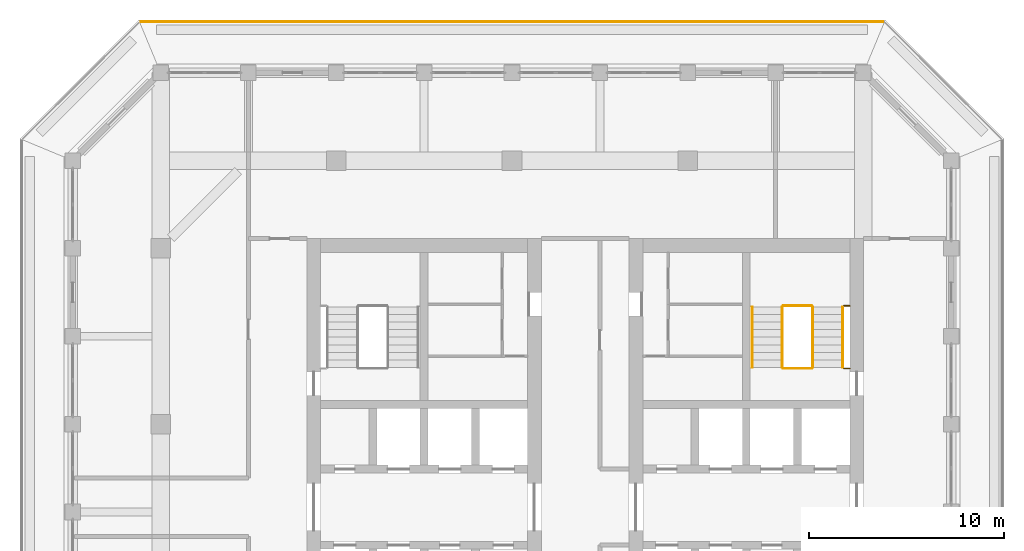
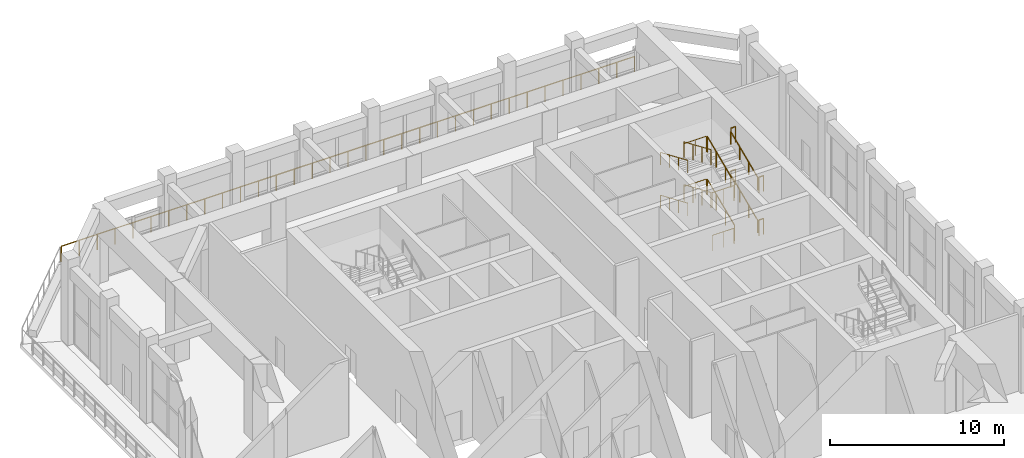
# One storey, part 18 of 20: 17 railings.
"""IFC4 building model written with IfcOpenShell, lengths in metres."""

import ifcopenshell
import ifcopenshell.guid

model = None  # the IFC model being written
_history = None  # IfcOwnerHistory: only IFC2X3 demands one
_inside = {}  # id of a spatial element -> (the spatial element, [elements in it])
_under = {}  # id of a project, library or spatial element -> (it, [spatial elements below it])
_declared = {}  # id of a project -> (the project, [libraries it declares])
_typed = {}  # id of a type object -> (the type object, [elements of that type])
_made_of = {}  # id of a material, layer set ... -> (it, [elements and type objects made of it])


def new_model(schema):
    """Start an empty IFC model of exactly this schema.

    Asked for "IFC4X3", IfcOpenShell would pick the latest addendum, in which some entities
    have other attributes; the version numbers below select the first issue.
    IFC2X3 requires an IfcOwnerHistory on every rooted entity: one is made here for all.
    """
    global model, _history
    if schema == "IFC4X3":
        model = ifcopenshell.file(schema_version=(4, 3, 0, 0))
    else:
        model = ifcopenshell.file(schema=schema)
    _inside.clear()
    _under.clear()
    _declared.clear()
    _typed.clear()
    _made_of.clear()
    _history = None
    if model.schema == "IFC2X3":
        org = make("IfcOrganization", Name="unknown")
        user = make(
            "IfcPersonAndOrganization",
            ThePerson=make("IfcPerson", FamilyName="unknown"),
            TheOrganization=org,
        )
        app = make(
            "IfcApplication",
            ApplicationDeveloper=org,
            Version="unknown",
            ApplicationFullName="unknown",
            ApplicationIdentifier="unknown",
        )
        _history = make(
            "IfcOwnerHistory",
            OwningUser=user,
            OwningApplication=app,
            ChangeAction="ADDED",
            CreationDate=0,
        )
    return model


def make(cls, **values):
    """One entity of the class cls with the attributes given. An attribute that is None is left unset."""
    return model.create_entity(
        cls, **{name: value for name, value in values.items() if value is not None}
    )


def rooted(cls, **values):
    """An entity with a GlobalId (a new one), such as an element, a storey or a relation."""
    return make(cls, GlobalId=ifcopenshell.guid.new(), OwnerHistory=_history, **values)


def si_unit(unit_type, name, prefix=None):
    """IfcSIUnit, for example si_unit("LENGTHUNIT", "METRE", prefix="MILLI")."""
    return make("IfcSIUnit", UnitType=unit_type, Prefix=prefix, Name=name)


def assignment(units):
    """IfcUnitAssignment: the units of a project."""
    return None if units is None else make("IfcUnitAssignment", Units=units)


def point(xyz):
    """IfcCartesianPoint."""
    return None if xyz is None else make("IfcCartesianPoint", Coordinates=xyz)


def direction(xyz):
    """IfcDirection."""
    return None if xyz is None else make("IfcDirection", DirectionRatios=xyz)


def frame(location, z_axis=None, x_axis=None):
    """IfcAxis2Placement3D, a coordinate frame: its origin and axes. An axis left out is left unset."""
    return make(
        "IfcAxis2Placement3D",
        Location=point(location),
        Axis=direction(z_axis),
        RefDirection=direction(x_axis),
    )


def frame_2d(location, x_axis=None):
    """IfcAxis2Placement2D, a coordinate frame in the plane: its origin and x axis."""
    return make(
        "IfcAxis2Placement2D", Location=point(location), RefDirection=direction(x_axis)
    )


def origin():
    """The frame at (0, 0, 0) with its axes left unset."""
    return frame((0.0, 0.0, 0.0))


def origin_2d():
    """The frame at (0, 0) in the plane with its x axis left unset."""
    return frame_2d((0.0, 0.0))


def place(relative_to, where):
    """IfcLocalPlacement: puts the frame where relative to a parent placement (None: the world)."""
    return make(
        "IfcLocalPlacement", PlacementRelTo=relative_to, RelativePlacement=where
    )


def context(
    kind, dimensions, precision=None, world=None, true_north=None, identifier=None
):
    """IfcGeometricRepresentationContext, for example the 3D "Model" context."""
    return make(
        "IfcGeometricRepresentationContext",
        ContextIdentifier=identifier,
        ContextType=kind,
        CoordinateSpaceDimension=dimensions,
        Precision=precision,
        WorldCoordinateSystem=world,
        TrueNorth=true_north,
    )


def subcontext(parent, identifier, kind, view, scale=None):
    """IfcGeometricRepresentationSubContext, for example "Body" below "Model"."""
    return make(
        "IfcGeometricRepresentationSubContext",
        ContextIdentifier=identifier,
        ContextType=kind,
        ParentContext=parent,
        TargetScale=scale,
        TargetView=view,
    )


def project(units=None, contexts=None):
    """IfcProject with its units and contexts."""
    return rooted(
        "IfcProject",
        Name="project",
        RepresentationContexts=contexts,
        UnitsInContext=assignment(units),
    )


def spatial(cls, under=None, at=None, **own):
    """A site, building, storey or space (cls), placed at a placement, below another one or the project."""
    s = rooted(cls, ObjectPlacement=at, **own)
    if under is not None:
        _under.setdefault(under.id(), (under, []))[1].append(s)
    return s


def profile(cls, at=None, kind="AREA", **sizes):
    """A parametric profile (cls). Its sizes go by their IFC names, for example OverallWidth=200.0."""
    return make(cls, ProfileType=kind, Position=at, **sizes)


def circle(**sizes):
    """IfcCircleProfileDef."""
    return profile("IfcCircleProfileDef", **sizes)


def extrude(swept, where, along, depth):
    """IfcExtrudedAreaSolid: the profile swept, set in the frame where, extruded along a direction by depth."""
    return make(
        "IfcExtrudedAreaSolid",
        SweptArea=swept,
        Position=where,
        ExtrudedDirection=direction(along),
        Depth=depth,
    )


def shape(context_of_items, identifier, shape_type, items):
    """IfcShapeRepresentation: the items that make up one representation, for example the "Body"."""
    return make(
        "IfcShapeRepresentation",
        ContextOfItems=context_of_items,
        RepresentationIdentifier=identifier,
        RepresentationType=shape_type,
        Items=items,
    )


def material(Name=None, Category=None):
    """IfcMaterial."""
    return make("IfcMaterial", Name=Name, Category=Category)


def made_of(thing, what):
    """Note that an element or type object is made of a material, layer set ...; save() writes the relation."""
    if what is not None:
        _made_of.setdefault(what.id(), (what, []))[1].append(thing)
    return thing


def type_object(cls, material=None, **own):
    """A type object (cls), such as IfcWallType, which elements share."""
    return made_of(rooted(cls, **own), material)


def element(
    cls,
    number,
    at=None,
    inside=None,
    cuts=None,
    type_object=None,
    material=None,
    context=None,
    identifier="Body",
    shape_type=None,
    held_by="IfcProductDefinitionShape",
    body=None,
    shapes=None,
    **own,
):
    """One element of the class cls, such as IfcWall. Its Tag is "e" and its number.

    at: its placement. inside: the storey or other place that contains it. cuts: it is an
    opening in that element (IfcRelVoidsElement). A single representation is given by context,
    identifier, shape_type and body (its items); several are given by shapes. held_by: the class
    of the entity that holds the representations. save() writes the other relations.
    """
    e = rooted(cls, Tag="e%d" % number, ObjectPlacement=at, **own)
    if body is not None:
        shapes = [shape(context, identifier, shape_type, body)]
    if shapes is not None:
        e.Representation = make(held_by, Representations=shapes)
    if inside is not None:
        _inside.setdefault(inside.id(), (inside, []))[1].append(e)
    if cuts is not None:
        rooted(
            "IfcRelVoidsElement", RelatingBuildingElement=cuts, RelatedOpeningElement=e
        )
    if type_object is not None:
        _typed.setdefault(type_object.id(), (type_object, []))[1].append(e)
    return made_of(e, material)


def aggregate(whole, parts):
    """IfcRelAggregates: a whole, such as a stair, and the parts it consists of."""
    return rooted("IfcRelAggregates", RelatingObject=whole, RelatedObjects=parts)


def save(model, path):
    """Write the relations noted so far, then the file.

    IfcRelAggregates (storeys below a building ...), IfcRelContainedInSpatialStructure (elements
    in a storey), IfcRelDefinesByType, IfcRelAssociatesMaterial and IfcRelDeclares: one each for
    every whole, place, type object, material and project.
    """
    for whole, parts in _under.values():
        aggregate(whole, parts)
    for where, things in _inside.values():
        rooted(
            "IfcRelContainedInSpatialStructure",
            RelatedElements=things,
            RelatingStructure=where,
        )
    for kind, things in _typed.values():
        rooted("IfcRelDefinesByType", RelatedObjects=things, RelatingType=kind)
    for what, things in _made_of.values():
        rooted("IfcRelAssociatesMaterial", RelatedObjects=things, RelatingMaterial=what)
    for by, libraries in _declared.values():
        rooted("IfcRelDeclares", RelatingContext=by, RelatedDefinitions=libraries)
    model.write(path)


model = new_model("IFC4")

# Units and contexts
model_context = context("Model", 3, precision=1e-05, world=origin(), true_north=direction((0.0, 1.0)))
body_context = subcontext(model_context, "Body", "Model", "MODEL_VIEW")
ifc_project = project(units=[si_unit("LENGTHUNIT", "METRE"), si_unit("AREAUNIT", "SQUARE_METRE"), si_unit("VOLUMEUNIT", "CUBIC_METRE"), si_unit("PLANEANGLEUNIT", "RADIAN"), si_unit("MASSUNIT", "GRAM", prefix="KILO")], contexts=[model_context])

# Site, building, storey
site_placement = place(None, origin())
site = spatial("IfcSite", under=ifc_project, at=site_placement, CompositionType="ELEMENT")
building_placement = place(site_placement, origin())
building = spatial("IfcBuilding", under=site, at=building_placement, Name="Corbel Stack Research Tower", CompositionType="ELEMENT")
storey_placement = place(building_placement, frame((0.0, 0.0, 295.0)))
storey = spatial("IfcBuildingStorey", under=building, at=storey_placement, Name="L67", CompositionType="ELEMENT", Elevation=295.0)

# Railings
ifc_material_1 = material(Name="Steel S355", Category="steel")
railing_type_1 = type_object("IfcRailingType", Name="Stair guard 1100", PredefinedType="GUARDRAIL", material=ifc_material_1)
railing_1_placement = place(storey_placement, frame((15.39990234375, 11.89990234375, 0.166748046875)))
element("IfcRailing", 1, at=railing_1_placement, inside=storey, type_object=railing_type_1, Name="L67 ST-E2 stair guard 1", PredefinedType="GUARDRAIL", context=body_context, shape_type="SweptSolid", body=[
    extrude(circle(Radius=0.02392578125, at=origin_2d()), frame((0.0, 0.0, 1.076171875), z_axis=(0.0, 0.918826996994, 0.394660549834), x_axis=(-1.0, 0.0, 0.0)), (0.0, 0.0, 1.0), 3.378173828125),
    extrude(circle(Radius=0.02099609375, at=origin_2d()), origin(), (0.0, 0.0, 1.0), 1.052001953125),
    extrude(circle(Radius=0.02099609375, at=origin_2d()), frame((0.0, 1.03466796875, 0.4443359375)), (0.0, 0.0, 1.0), 1.052001953125),
    extrude(circle(Radius=0.02099609375, at=origin_2d()), frame((0.0, 2.0693359375, 0.888916015625)), (0.0, 0.0, 1.0), 1.052001953125),
    extrude(circle(Radius=0.02099609375, at=origin_2d()), frame((0.0, 3.10400390625, 1.333251953125)), (0.0, 0.0, 1.0), 1.052001953125),
])
railing_2_placement = place(storey_placement, frame((15.35009765625, 15.053955078125, 1.5)))
element("IfcRailing", 2, at=railing_2_placement, inside=storey, type_object=railing_type_1, Name="L67 ST-E2 stair guard 2", PredefinedType="GUARDRAIL", context=body_context, shape_type="SweptSolid", body=[
    extrude(circle(Radius=0.02392578125, at=origin_2d()), frame((0.0, 0.0, 1.076171875), z_axis=(-1.0, 0.0, 0.0), x_axis=(0.0, -1.0, 0.0)), (0.0, 0.0, 1.0), 1.4501953125),
    extrude(circle(Radius=0.02099609375, at=origin_2d()), origin(), (0.0, 0.0, 1.0), 1.052001953125),
    extrude(circle(Radius=0.02099609375, at=origin_2d()), frame((-0.72509765625, 0.0, 0.0)), (0.0, 0.0, 1.0), 1.052001953125),
    extrude(circle(Radius=0.02099609375, at=origin_2d()), frame((-1.4501953125, 0.0, 0.0)), (0.0, 0.0, 1.0), 1.052001953125),
])
railing_3_placement = place(storey_placement, frame((17.300048828125, 15.053955078125, 1.5)))
element("IfcRailing", 3, at=railing_3_placement, inside=storey, type_object=railing_type_1, Name="L67 ST-E2 stair guard 3", PredefinedType="GUARDRAIL", context=body_context, shape_type="SweptSolid", body=[
    extrude(circle(Radius=0.02392578125, at=origin_2d()), frame((0.0, 0.0, 1.076171875), z_axis=(-1.0, 0.0, 0.0), x_axis=(0.0, -1.0, 0.0)), (0.0, 0.0, 1.0), 0.300048828125),
    extrude(circle(Radius=0.02099609375, at=origin_2d()), origin(), (0.0, 0.0, 1.0), 1.052001953125),
    extrude(circle(Radius=0.02099609375, at=origin_2d()), frame((-0.300048828125, 0.0, 0.0)), (0.0, 0.0, 1.0), 1.052001953125),
])
railing_4_placement = place(storey_placement, frame((13.85009765625, 15.00390625, 1.666748046875)))
element("IfcRailing", 4, at=railing_4_placement, inside=storey, type_object=railing_type_1, Name="L67 ST-E2 stair guard 4", PredefinedType="GUARDRAIL", context=body_context, shape_type="SweptSolid", body=[
    extrude(circle(Radius=0.02392578125, at=origin_2d()), frame((0.0, 0.0, 1.076171875), z_axis=(0.0, -0.918826996994, 0.394660549834), x_axis=(1.0, 0.0, 0.0)), (0.0, 0.0, 1.0), 3.378173828125),
    extrude(circle(Radius=0.02099609375, at=origin_2d()), origin(), (0.0, 0.0, 1.0), 1.052001953125),
    extrude(circle(Radius=0.02099609375, at=origin_2d()), frame((0.0, -1.03466796875, 0.4443359375)), (0.0, 0.0, 1.0), 1.052001953125),
    extrude(circle(Radius=0.02099609375, at=origin_2d()), frame((0.0, -2.0693359375, 0.888916015625)), (0.0, 0.0, 1.0), 1.052001953125),
    extrude(circle(Radius=0.02099609375, at=origin_2d()), frame((0.0, -3.10400390625, 1.333251953125)), (0.0, 0.0, 1.0), 1.052001953125),
])
railing_5_placement = place(storey_placement, frame((15.35009765625, 11.85009765625, 3.0)))
element("IfcRailing", 5, at=railing_5_placement, inside=storey, type_object=railing_type_1, Name="L67 ST-E2 stair guard 5", PredefinedType="GUARDRAIL", context=body_context, shape_type="SweptSolid", body=[
    extrude(circle(Radius=0.02392578125, at=origin_2d()), frame((0.0, 0.0, 1.076171875), z_axis=(-1.0, 0.0, 0.0), x_axis=(0.0, -1.0, 0.0)), (0.0, 0.0, 1.0), 1.4501953125),
    extrude(circle(Radius=0.02099609375, at=origin_2d()), origin(), (0.0, 0.0, 1.0), 1.052001953125),
    extrude(circle(Radius=0.02099609375, at=origin_2d()), frame((-0.72509765625, 0.0, 0.0)), (0.0, 0.0, 1.0), 1.052001953125),
    extrude(circle(Radius=0.02099609375, at=origin_2d()), frame((-1.4501953125, 0.0, 0.0)), (0.0, 0.0, 1.0), 1.052001953125),
])
railing_6_placement = place(storey_placement, frame((17.300048828125, 11.85009765625, 3.0)))
element("IfcRailing", 6, at=railing_6_placement, inside=storey, type_object=railing_type_1, Name="L67 ST-E2 stair guard 6", PredefinedType="GUARDRAIL", context=body_context, shape_type="SweptSolid", body=[
    extrude(circle(Radius=0.02392578125, at=origin_2d()), frame((0.0, 0.0, 1.076171875), z_axis=(-1.0, 0.0, 0.0), x_axis=(0.0, -1.0, 0.0)), (0.0, 0.0, 1.0), 0.300048828125),
    extrude(circle(Radius=0.02099609375, at=origin_2d()), origin(), (0.0, 0.0, 1.0), 1.052001953125),
    extrude(circle(Radius=0.02099609375, at=origin_2d()), frame((-0.300048828125, 0.0, 0.0)), (0.0, 0.0, 1.0), 1.052001953125),
])
railing_7_placement = place(storey_placement, frame((15.39990234375, 11.89990234375, 3.166748046875)))
element("IfcRailing", 7, at=railing_7_placement, inside=storey, type_object=railing_type_1, Name="L67 ST-E2 stair guard 7", PredefinedType="GUARDRAIL", context=body_context, shape_type="SweptSolid", body=[
    extrude(circle(Radius=0.02392578125, at=origin_2d()), frame((0.0, 0.0, 1.076171875), z_axis=(0.0, 0.918826996994, 0.394660549834), x_axis=(-1.0, 0.0, 0.0)), (0.0, 0.0, 1.0), 3.378173828125),
    extrude(circle(Radius=0.02099609375, at=origin_2d()), origin(), (0.0, 0.0, 1.0), 1.052001953125),
    extrude(circle(Radius=0.02099609375, at=origin_2d()), frame((0.0, 1.03466796875, 0.4443359375)), (0.0, 0.0, 1.0), 1.052001953125),
    extrude(circle(Radius=0.02099609375, at=origin_2d()), frame((0.0, 2.0693359375, 0.888916015625)), (0.0, 0.0, 1.0), 1.052001953125),
    extrude(circle(Radius=0.02099609375, at=origin_2d()), frame((0.0, 3.10400390625, 1.333251953125)), (0.0, 0.0, 1.0), 1.052001953125),
])
railing_8_placement = place(storey_placement, frame((15.35009765625, 15.053955078125, 4.5)))
element("IfcRailing", 8, at=railing_8_placement, inside=storey, type_object=railing_type_1, Name="L67 ST-E2 stair guard 8", PredefinedType="GUARDRAIL", context=body_context, shape_type="SweptSolid", body=[
    extrude(circle(Radius=0.02392578125, at=origin_2d()), frame((0.0, 0.0, 1.076171875), z_axis=(-1.0, 0.0, 0.0), x_axis=(0.0, -1.0, 0.0)), (0.0, 0.0, 1.0), 1.4501953125),
    extrude(circle(Radius=0.02099609375, at=origin_2d()), origin(), (0.0, 0.0, 1.0), 1.052001953125),
    extrude(circle(Radius=0.02099609375, at=origin_2d()), frame((-0.72509765625, 0.0, 0.0)), (0.0, 0.0, 1.0), 1.052001953125),
    extrude(circle(Radius=0.02099609375, at=origin_2d()), frame((-1.4501953125, 0.0, 0.0)), (0.0, 0.0, 1.0), 1.052001953125),
])
railing_9_placement = place(storey_placement, frame((17.300048828125, 15.053955078125, 4.5)))
element("IfcRailing", 9, at=railing_9_placement, inside=storey, type_object=railing_type_1, Name="L67 ST-E2 stair guard 9", PredefinedType="GUARDRAIL", context=body_context, shape_type="SweptSolid", body=[
    extrude(circle(Radius=0.02392578125, at=origin_2d()), frame((0.0, 0.0, 1.076171875), z_axis=(-1.0, 0.0, 0.0), x_axis=(0.0, -1.0, 0.0)), (0.0, 0.0, 1.0), 0.300048828125),
    extrude(circle(Radius=0.02099609375, at=origin_2d()), origin(), (0.0, 0.0, 1.0), 1.052001953125),
    extrude(circle(Radius=0.02099609375, at=origin_2d()), frame((-0.300048828125, 0.0, 0.0)), (0.0, 0.0, 1.0), 1.052001953125),
])
railing_10_placement = place(storey_placement, frame((13.85009765625, 15.00390625, 4.666748046875)))
element("IfcRailing", 10, at=railing_10_placement, inside=storey, type_object=railing_type_1, Name="L67 ST-E2 stair guard 10", PredefinedType="GUARDRAIL", context=body_context, shape_type="SweptSolid", body=[
    extrude(circle(Radius=0.02392578125, at=origin_2d()), frame((0.0, 0.0, 1.076171875), z_axis=(0.0, -0.918826996994, 0.394660549834), x_axis=(1.0, 0.0, 0.0)), (0.0, 0.0, 1.0), 3.378173828125),
    extrude(circle(Radius=0.02099609375, at=origin_2d()), origin(), (0.0, 0.0, 1.0), 1.052001953125),
    extrude(circle(Radius=0.02099609375, at=origin_2d()), frame((0.0, -1.03466796875, 0.4443359375)), (0.0, 0.0, 1.0), 1.052001953125),
    extrude(circle(Radius=0.02099609375, at=origin_2d()), frame((0.0, -2.0693359375, 0.888916015625)), (0.0, 0.0, 1.0), 1.052001953125),
    extrude(circle(Radius=0.02099609375, at=origin_2d()), frame((0.0, -3.10400390625, 1.333251953125)), (0.0, 0.0, 1.0), 1.052001953125),
])
railing_11_placement = place(storey_placement, frame((15.35009765625, 11.85009765625, 0.0)))
element("IfcRailing", 11, at=railing_11_placement, inside=storey, type_object=railing_type_1, Name="L67 ST-E2 stair guard 11", PredefinedType="GUARDRAIL", context=body_context, shape_type="SweptSolid", body=[
    extrude(circle(Radius=0.02392578125, at=origin_2d()), frame((0.0, 0.0, 1.076171875), z_axis=(-1.0, 0.0, 0.0), x_axis=(0.0, -1.0, 0.0)), (0.0, 0.0, 1.0), 1.4501953125),
    extrude(circle(Radius=0.02099609375, at=origin_2d()), origin(), (0.0, 0.0, 1.0), 1.052001953125),
    extrude(circle(Radius=0.02099609375, at=origin_2d()), frame((-0.72509765625, 0.0, 0.0)), (0.0, 0.0, 1.0), 1.052001953125),
    extrude(circle(Radius=0.02099609375, at=origin_2d()), frame((-1.4501953125, 0.0, 0.0)), (0.0, 0.0, 1.0), 1.052001953125),
])
railing_12_placement = place(storey_placement, frame((17.300048828125, 11.85009765625, 0.0)))
element("IfcRailing", 12, at=railing_12_placement, inside=storey, type_object=railing_type_1, Name="L67 ST-E2 stair guard 12", PredefinedType="GUARDRAIL", context=body_context, shape_type="SweptSolid", body=[
    extrude(circle(Radius=0.02392578125, at=origin_2d()), frame((0.0, 0.0, 1.076171875), z_axis=(-1.0, 0.0, 0.0), x_axis=(0.0, -1.0, 0.0)), (0.0, 0.0, 1.0), 0.300048828125),
    extrude(circle(Radius=0.02099609375, at=origin_2d()), origin(), (0.0, 0.0, 1.0), 1.052001953125),
    extrude(circle(Radius=0.02099609375, at=origin_2d()), frame((-0.300048828125, 0.0, 0.0)), (0.0, 0.0, 1.0), 1.052001953125),
])
ifc_material_2 = material(Name="Steel S355", Category="steel")
railing_type_2 = type_object("IfcRailingType", Name="Stair handrail 900", PredefinedType="HANDRAIL", material=ifc_material_2)
railing_13_placement = place(storey_placement, frame((16.949951171875, 11.89990234375, 0.166748046875)))
element("IfcRailing", 13, at=railing_13_placement, inside=storey, type_object=railing_type_2, Name="L67 ST-E2 stair handrail 1", PredefinedType="HANDRAIL", context=body_context, shape_type="SweptSolid", body=[
    extrude(circle(Radius=0.02392578125, at=origin_2d()), frame((0.0, 0.0, 0.8759765625), z_axis=(0.0, 0.918826996994, 0.394660549834), x_axis=(-1.0, 0.0, 0.0)), (0.0, 0.0, 1.0), 3.378173828125),
    extrude(circle(Radius=0.02099609375, at=origin_2d()), origin(), (0.0, 0.0, 1.0), 0.851806640625),
    extrude(circle(Radius=0.02099609375, at=origin_2d()), frame((0.0, 1.03466796875, 0.4443359375)), (0.0, 0.0, 1.0), 0.851806640625),
    extrude(circle(Radius=0.02099609375, at=origin_2d()), frame((0.0, 2.0693359375, 0.888916015625)), (0.0, 0.0, 1.0), 0.851806640625),
    extrude(circle(Radius=0.02099609375, at=origin_2d()), frame((0.0, 3.10400390625, 1.333251953125)), (0.0, 0.0, 1.0), 0.851806640625),
])
railing_14_placement = place(storey_placement, frame((12.300048828125, 15.00390625, 1.666748046875)))
element("IfcRailing", 14, at=railing_14_placement, inside=storey, type_object=railing_type_2, Name="L67 ST-E2 stair handrail 2", PredefinedType="HANDRAIL", context=body_context, shape_type="SweptSolid", body=[
    extrude(circle(Radius=0.02392578125, at=origin_2d()), frame((0.0, 0.0, 0.8759765625), z_axis=(0.0, -0.918826996994, 0.394660549834), x_axis=(1.0, 0.0, 0.0)), (0.0, 0.0, 1.0), 3.378173828125),
    extrude(circle(Radius=0.02099609375, at=origin_2d()), origin(), (0.0, 0.0, 1.0), 0.851806640625),
    extrude(circle(Radius=0.02099609375, at=origin_2d()), frame((0.0, -1.03466796875, 0.4443359375)), (0.0, 0.0, 1.0), 0.851806640625),
    extrude(circle(Radius=0.02099609375, at=origin_2d()), frame((0.0, -2.0693359375, 0.888916015625)), (0.0, 0.0, 1.0), 0.851806640625),
    extrude(circle(Radius=0.02099609375, at=origin_2d()), frame((0.0, -3.10400390625, 1.333251953125)), (0.0, 0.0, 1.0), 0.851806640625),
])
railing_15_placement = place(storey_placement, frame((16.949951171875, 11.89990234375, 3.166748046875)))
element("IfcRailing", 15, at=railing_15_placement, inside=storey, type_object=railing_type_2, Name="L67 ST-E2 stair handrail 3", PredefinedType="HANDRAIL", context=body_context, shape_type="SweptSolid", body=[
    extrude(circle(Radius=0.02392578125, at=origin_2d()), frame((0.0, 0.0, 0.8759765625), z_axis=(0.0, 0.918826996994, 0.394660549834), x_axis=(-1.0, 0.0, 0.0)), (0.0, 0.0, 1.0), 3.378173828125),
    extrude(circle(Radius=0.02099609375, at=origin_2d()), origin(), (0.0, 0.0, 1.0), 0.851806640625),
    extrude(circle(Radius=0.02099609375, at=origin_2d()), frame((0.0, 1.03466796875, 0.4443359375)), (0.0, 0.0, 1.0), 0.851806640625),
    extrude(circle(Radius=0.02099609375, at=origin_2d()), frame((0.0, 2.0693359375, 0.888916015625)), (0.0, 0.0, 1.0), 0.851806640625),
    extrude(circle(Radius=0.02099609375, at=origin_2d()), frame((0.0, 3.10400390625, 1.333251953125)), (0.0, 0.0, 1.0), 0.851806640625),
])
railing_16_placement = place(storey_placement, frame((12.300048828125, 15.00390625, 4.666748046875)))
element("IfcRailing", 16, at=railing_16_placement, inside=storey, type_object=railing_type_2, Name="L67 ST-E2 stair handrail 4", PredefinedType="HANDRAIL", context=body_context, shape_type="SweptSolid", body=[
    extrude(circle(Radius=0.02392578125, at=origin_2d()), frame((0.0, 0.0, 0.8759765625), z_axis=(0.0, -0.918826996994, 0.394660549834), x_axis=(1.0, 0.0, 0.0)), (0.0, 0.0, 1.0), 3.378173828125),
    extrude(circle(Radius=0.02099609375, at=origin_2d()), origin(), (0.0, 0.0, 1.0), 0.851806640625),
    extrude(circle(Radius=0.02099609375, at=origin_2d()), frame((0.0, -1.03466796875, 0.4443359375)), (0.0, 0.0, 1.0), 0.851806640625),
    extrude(circle(Radius=0.02099609375, at=origin_2d()), frame((0.0, -2.0693359375, 0.888916015625)), (0.0, 0.0, 1.0), 0.851806640625),
    extrude(circle(Radius=0.02099609375, at=origin_2d()), frame((0.0, -3.10400390625, 1.333251953125)), (0.0, 0.0, 1.0), 0.851806640625),
])
ifc_material_3 = material(Name="Powder-coated steel guard", Category="steel")
railing_type_3 = type_object("IfcRailingType", Name="Steel and glass guard 1100", PredefinedType="GUARDRAIL", material=ifc_material_3)
railing_17_placement = place(storey_placement, frame((19.00537109375, 29.60009765625, 0.0)))
element("IfcRailing", 17, at=railing_17_placement, inside=storey, type_object=railing_type_3, Name="Loggia guard L67 N", PredefinedType="GUARDRAIL", context=body_context, shape_type="SweptSolid", body=[
    extrude(circle(Radius=0.02392578125, at=origin_2d()), frame((0.0, 0.0, 1.076171875), z_axis=(-1.0, 0.0, 0.0), x_axis=(0.0, -1.0, 0.0)), (0.0, 0.0, 1.0), 38.0107421875),
    extrude(circle(Radius=0.02099609375, at=origin_2d()), origin(), (0.0, 0.0, 1.0), 1.052001953125),
    extrude(circle(Radius=0.02099609375, at=origin_2d()), frame((-1.187744140625, 0.0, 0.0)), (0.0, 0.0, 1.0), 1.052001953125),
    extrude(circle(Radius=0.02099609375, at=origin_2d()), frame((-2.375732421875, 0.0, 0.0)), (0.0, 0.0, 1.0), 1.052001953125),
    extrude(circle(Radius=0.02099609375, at=origin_2d()), frame((-3.5634765625, 0.0, 0.0)), (0.0, 0.0, 1.0), 1.052001953125),
    extrude(circle(Radius=0.02099609375, at=origin_2d()), frame((-4.75146484375, 0.0, 0.0)), (0.0, 0.0, 1.0), 1.052001953125),
    extrude(circle(Radius=0.02099609375, at=origin_2d()), frame((-5.939208984375, 0.0, 0.0)), (0.0, 0.0, 1.0), 1.052001953125),
    extrude(circle(Radius=0.02099609375, at=origin_2d()), frame((-7.126953125, 0.0, 0.0)), (0.0, 0.0, 1.0), 1.052001953125),
    extrude(circle(Radius=0.02099609375, at=origin_2d()), frame((-8.31494140625, 0.0, 0.0)), (0.0, 0.0, 1.0), 1.052001953125),
    extrude(circle(Radius=0.02099609375, at=origin_2d()), frame((-9.502685546875, 0.0, 0.0)), (0.0, 0.0, 1.0), 1.052001953125),
    extrude(circle(Radius=0.02099609375, at=origin_2d()), frame((-10.6904296875, 0.0, 0.0)), (0.0, 0.0, 1.0), 1.052001953125),
    extrude(circle(Radius=0.02099609375, at=origin_2d()), frame((-11.87841796875, 0.0, 0.0)), (0.0, 0.0, 1.0), 1.052001953125),
    extrude(circle(Radius=0.02099609375, at=origin_2d()), frame((-13.066162109375, 0.0, 0.0)), (0.0, 0.0, 1.0), 1.052001953125),
    extrude(circle(Radius=0.02099609375, at=origin_2d()), frame((-14.25390625, 0.0, 0.0)), (0.0, 0.0, 1.0), 1.052001953125),
    extrude(circle(Radius=0.02099609375, at=origin_2d()), frame((-15.44189453125, 0.0, 0.0)), (0.0, 0.0, 1.0), 1.052001953125),
    extrude(circle(Radius=0.02099609375, at=origin_2d()), frame((-16.629638671875, 0.0, 0.0)), (0.0, 0.0, 1.0), 1.052001953125),
    extrude(circle(Radius=0.02099609375, at=origin_2d()), frame((-17.817626953125, 0.0, 0.0)), (0.0, 0.0, 1.0), 1.052001953125),
    extrude(circle(Radius=0.02099609375, at=origin_2d()), frame((-19.00537109375, 0.0, 0.0)), (0.0, 0.0, 1.0), 1.052001953125),
    extrude(circle(Radius=0.02099609375, at=origin_2d()), frame((-20.193115234375, 0.0, 0.0)), (0.0, 0.0, 1.0), 1.052001953125),
    extrude(circle(Radius=0.02099609375, at=origin_2d()), frame((-21.381103515625, 0.0, 0.0)), (0.0, 0.0, 1.0), 1.052001953125),
    extrude(circle(Radius=0.02099609375, at=origin_2d()), frame((-22.56884765625, 0.0, 0.0)), (0.0, 0.0, 1.0), 1.052001953125),
    extrude(circle(Radius=0.02099609375, at=origin_2d()), frame((-23.7568359375, 0.0, 0.0)), (0.0, 0.0, 1.0), 1.052001953125),
    extrude(circle(Radius=0.02099609375, at=origin_2d()), frame((-24.944580078125, 0.0, 0.0)), (0.0, 0.0, 1.0), 1.052001953125),
    extrude(circle(Radius=0.02099609375, at=origin_2d()), frame((-26.13232421875, 0.0, 0.0)), (0.0, 0.0, 1.0), 1.052001953125),
    extrude(circle(Radius=0.02099609375, at=origin_2d()), frame((-27.3203125, 0.0, 0.0)), (0.0, 0.0, 1.0), 1.052001953125),
    extrude(circle(Radius=0.02099609375, at=origin_2d()), frame((-28.508056640625, 0.0, 0.0)), (0.0, 0.0, 1.0), 1.052001953125),
    extrude(circle(Radius=0.02099609375, at=origin_2d()), frame((-29.69580078125, 0.0, 0.0)), (0.0, 0.0, 1.0), 1.052001953125),
    extrude(circle(Radius=0.02099609375, at=origin_2d()), frame((-30.8837890625, 0.0, 0.0)), (0.0, 0.0, 1.0), 1.052001953125),
    extrude(circle(Radius=0.02099609375, at=origin_2d()), frame((-32.071533203125, 0.0, 0.0)), (0.0, 0.0, 1.0), 1.052001953125),
    extrude(circle(Radius=0.02099609375, at=origin_2d()), frame((-33.25927734375, 0.0, 0.0)), (0.0, 0.0, 1.0), 1.052001953125),
    extrude(circle(Radius=0.02099609375, at=origin_2d()), frame((-34.447265625, 0.0, 0.0)), (0.0, 0.0, 1.0), 1.052001953125),
    extrude(circle(Radius=0.02099609375, at=origin_2d()), frame((-35.635009765625, 0.0, 0.0)), (0.0, 0.0, 1.0), 1.052001953125),
    extrude(circle(Radius=0.02099609375, at=origin_2d()), frame((-36.822998046875, 0.0, 0.0)), (0.0, 0.0, 1.0), 1.052001953125),
    extrude(circle(Radius=0.02099609375, at=origin_2d()), frame((-38.0107421875, 0.0, 0.0)), (0.0, 0.0, 1.0), 1.052001953125),
])

save(model, "model.ifc")
